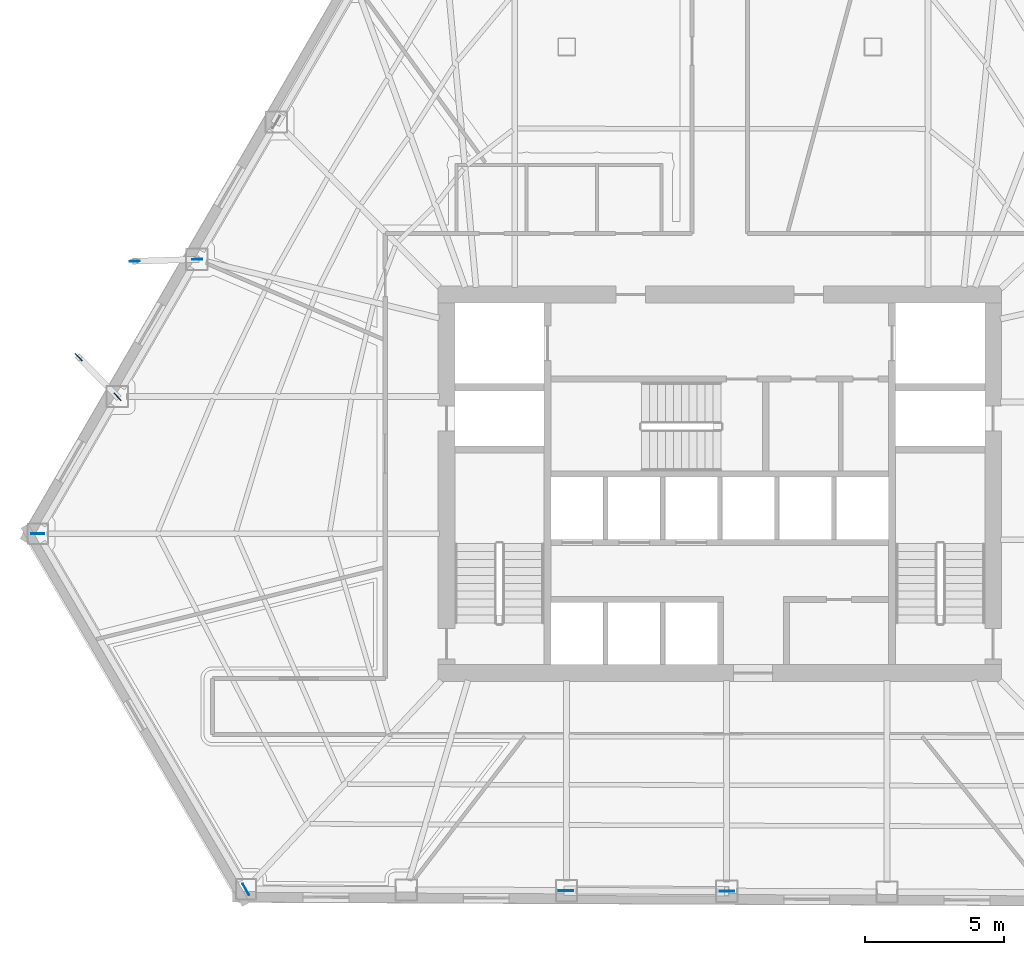
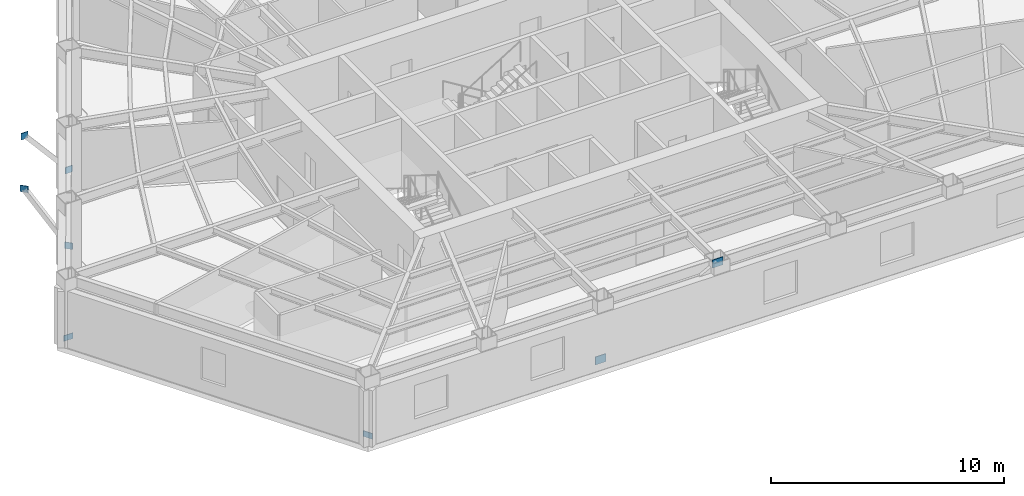
# One storey, part 5 of 14: 8 plates.
"""IFC4 building model written with IfcOpenShell, lengths in metres."""

from ifc_helpers import new_model, si_unit, direction, frame, origin, origin_2d, place, context, subcontext, project, spatial, rectangle, extrude, material, layer, layer_set, type_object, element, save


model = new_model("IFC4")

# Units and contexts
model_context = context("Model", 3, precision=1e-05, world=origin(), true_north=direction((0.0, 1.0)))
body_context = subcontext(model_context, "Body", "Model", "MODEL_VIEW")
ifc_project = project(units=[si_unit("LENGTHUNIT", "METRE"), si_unit("AREAUNIT", "SQUARE_METRE"), si_unit("VOLUMEUNIT", "CUBIC_METRE"), si_unit("PLANEANGLEUNIT", "RADIAN"), si_unit("MASSUNIT", "GRAM", prefix="KILO")], contexts=[model_context])

# Site, building, storey
site_placement = place(None, origin())
site = spatial("IfcSite", under=ifc_project, at=site_placement, CompositionType="ELEMENT")
building_placement = place(site_placement, origin())
building = spatial("IfcBuilding", under=site, at=building_placement, Name="Kavelnor Concourse Tower", CompositionType="ELEMENT")
storey_placement = place(building_placement, frame((0.0, 0.0, 52.199951171875)))
storey = spatial("IfcBuildingStorey", under=building, at=storey_placement, Name="L13", CompositionType="ELEMENT", Elevation=52.199951171875)

# Plates
ifc_material = material(Name="Steel Grade 350", Category="steel")
ifc_layer_1 = layer(ifc_material, 0.028076171875, Name="Steel Grade 350")
ifc_layer_set_1 = layer_set([ifc_layer_1], Name="Steel Grade 350")
plate_type_1 = type_object("IfcPlateType", Name="PL-GUSSET-FOLD", PredefinedType="USERDEFINED", material=ifc_layer_set_1)
for number, where, z_axis, x_axis, name in (
    (1, (13.494384765625, 14.3076171875, 0.10009765625), (0.0, 0.0, 1.0), (1.0, 0.0, 0.0), "L13 Herringbone Corner-Fold Kink Gusset Plate F0-B6"),
    (2, (20.9716796875, 1.53125, 0.10009765625), (0.0, 0.0, 1.0), (-0.5, 0.866025403784, 0.0), "L13 Herringbone Corner-Fold Kink Gusset Plate F1-B0"),
):
    element("IfcPlate", number, at=place(storey_placement, frame(where, z_axis=z_axis, x_axis=x_axis)), inside=storey, type_object=plate_type_1, Name=name, ObjectType="GUSSET_PLATE", PredefinedType="USERDEFINED", context=body_context, shape_type="SweptSolid", body=[
        extrude(rectangle(XDim=0.4599609375, YDim=0.028076171875, at=origin_2d()), origin(), (0.0, 0.0, 1.0), 0.300048828125),
    ])
for number, where, z_axis, x_axis, name in (
    (3, (19.219482421875, 24.167236328125, 0.8798828125), (0.0, 0.0, 1.0), (-0.999512027354, -0.031236311797, 0.0), "L13 Balcony Strut Gusset GP4 2-A End Gusset A"),
    (4, (16.974609375, 24.096923828125, 3.48486328125), (0.0, 0.0, 1.0), (-0.999512027354, -0.031236311797, 0.0), "L13 Balcony Strut Gusset GP4 2-A End Gusset B"),
    (5, (16.359375, 19.228759765625, 0.8798828125), (0.0, 0.0, 1.0), (-0.700411150784, 0.713739602276, 0.0), "L13 Balcony Strut Gusset GP4 2-B End Gusset A"),
    (6, (14.965087890625, 20.6494140625, 3.48486328125), (0.0, 0.0, 1.0), (-0.700411150784, 0.713739602276, 0.0), "L13 Balcony Strut Gusset GP4 2-B End Gusset B"),
):
    element("IfcPlate", number, at=place(storey_placement, frame(where, z_axis=z_axis, x_axis=x_axis)), inside=storey, type_object=plate_type_1, Name=name, ObjectType="GUSSET_PLATE", PredefinedType="USERDEFINED", context=body_context, shape_type="SweptSolid", body=[
        extrude(rectangle(XDim=0.360107421875, YDim=0.028076171875, at=origin_2d()), origin(), (0.0, 0.0, 1.0), 0.340087890625),
    ])
ifc_layer_2 = layer(ifc_material, 0.031982421875, Name="Steel Grade 350")
ifc_layer_set_2 = layer_set([ifc_layer_2], Name="Steel Grade 350")
plate_type_2 = type_object("IfcPlateType", Name="PL-GUSSET-TUBE-Z1", PredefinedType="USERDEFINED", material=ifc_layer_set_2)
for number, where, z_axis, x_axis, name in (
    (7, (32.47607421875, 1.481689453125, 0.010009765625), (0.0, 0.0, 1.0), (0.999990480721, -0.004363309285, 0.0), "L13 Tube Brace Gusset GP3 F1-B2 End Gusset A"),
    (8, (38.258056640625, 1.456787109375, 3.073974609375), (0.0, 0.0, 1.0), (0.999990480721, -0.004363309285, 0.0), "L13 Tube Brace Gusset GP3 F1-B2 End Gusset B"),
):
    element("IfcPlate", number, at=place(storey_placement, frame(where, z_axis=z_axis, x_axis=x_axis)), inside=storey, type_object=plate_type_2, Name=name, ObjectType="GUSSET_PLATE", PredefinedType="USERDEFINED", context=body_context, shape_type="SweptSolid", body=[
        extrude(rectangle(XDim=0.52001953125, YDim=0.031982421875, at=origin_2d()), origin(), (0.0, 0.0, 1.0), 0.419921875),
    ])

save(model, "model.ifc")
